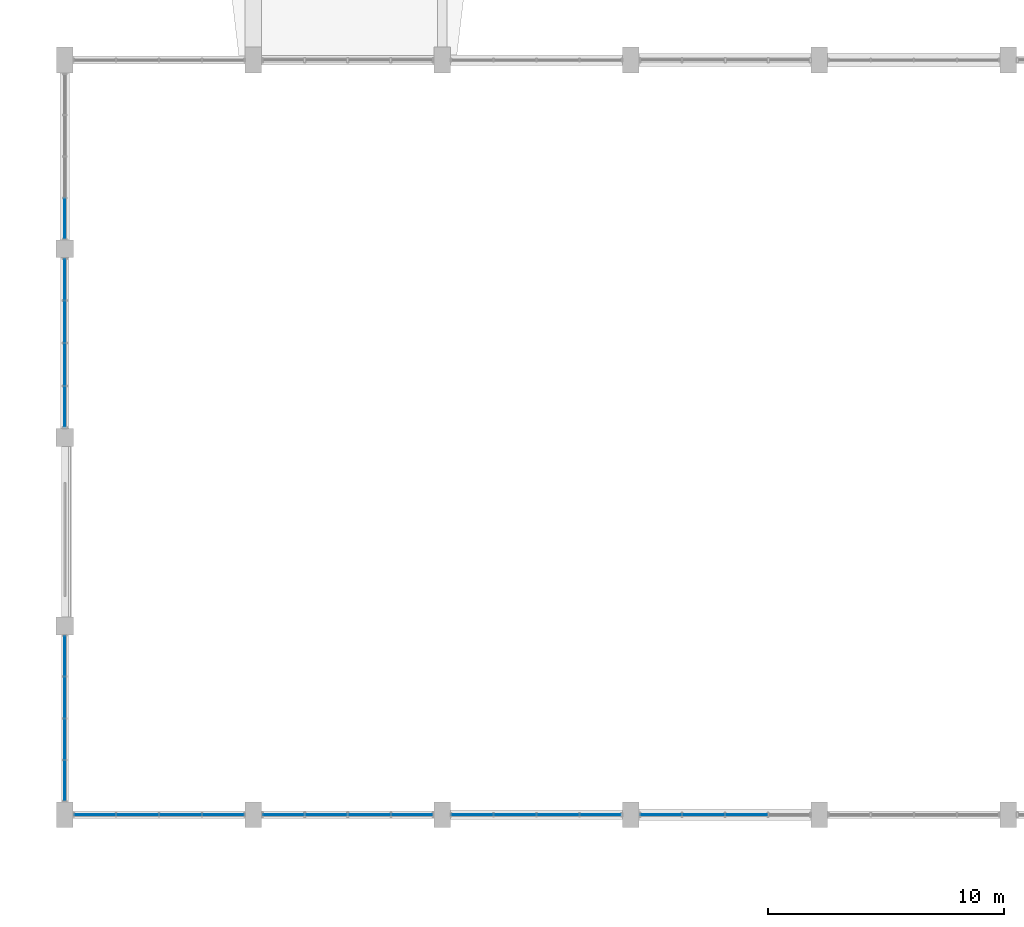
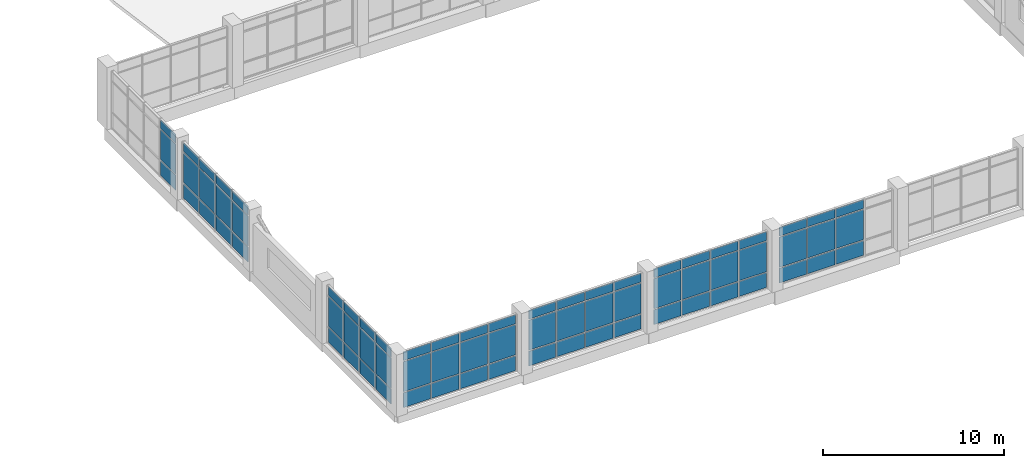
# One storey, part 47 of 72: 72 plates, 7 elements without a shape of their own.
"""IFC4 building model written with IfcOpenShell, lengths in metres."""

import ifcopenshell
import ifcopenshell.guid

model = None  # the IFC model being written
_history = None  # IfcOwnerHistory: only IFC2X3 demands one
_inside = {}  # id of a spatial element -> (the spatial element, [elements in it])
_under = {}  # id of a project, library or spatial element -> (it, [spatial elements below it])
_declared = {}  # id of a project -> (the project, [libraries it declares])
_typed = {}  # id of a type object -> (the type object, [elements of that type])
_made_of = {}  # id of a material, layer set ... -> (it, [elements and type objects made of it])


def new_model(schema):
    """Start an empty IFC model of exactly this schema.

    Asked for "IFC4X3", IfcOpenShell would pick the latest addendum, in which some entities
    have other attributes; the version numbers below select the first issue.
    IFC2X3 requires an IfcOwnerHistory on every rooted entity: one is made here for all.
    """
    global model, _history
    if schema == "IFC4X3":
        model = ifcopenshell.file(schema_version=(4, 3, 0, 0))
    else:
        model = ifcopenshell.file(schema=schema)
    _inside.clear()
    _under.clear()
    _declared.clear()
    _typed.clear()
    _made_of.clear()
    _history = None
    if model.schema == "IFC2X3":
        org = make("IfcOrganization", Name="unknown")
        user = make(
            "IfcPersonAndOrganization",
            ThePerson=make("IfcPerson", FamilyName="unknown"),
            TheOrganization=org,
        )
        app = make(
            "IfcApplication",
            ApplicationDeveloper=org,
            Version="unknown",
            ApplicationFullName="unknown",
            ApplicationIdentifier="unknown",
        )
        _history = make(
            "IfcOwnerHistory",
            OwningUser=user,
            OwningApplication=app,
            ChangeAction="ADDED",
            CreationDate=0,
        )
    return model


def make(cls, **values):
    """One entity of the class cls with the attributes given. An attribute that is None is left unset."""
    return model.create_entity(
        cls, **{name: value for name, value in values.items() if value is not None}
    )


def rooted(cls, **values):
    """An entity with a GlobalId (a new one), such as an element, a storey or a relation."""
    return make(cls, GlobalId=ifcopenshell.guid.new(), OwnerHistory=_history, **values)


def si_unit(unit_type, name, prefix=None):
    """IfcSIUnit, for example si_unit("LENGTHUNIT", "METRE", prefix="MILLI")."""
    return make("IfcSIUnit", UnitType=unit_type, Prefix=prefix, Name=name)


def assignment(units):
    """IfcUnitAssignment: the units of a project."""
    return None if units is None else make("IfcUnitAssignment", Units=units)


def point(xyz):
    """IfcCartesianPoint."""
    return None if xyz is None else make("IfcCartesianPoint", Coordinates=xyz)


def direction(xyz):
    """IfcDirection."""
    return None if xyz is None else make("IfcDirection", DirectionRatios=xyz)


def frame(location, z_axis=None, x_axis=None):
    """IfcAxis2Placement3D, a coordinate frame: its origin and axes. An axis left out is left unset."""
    return make(
        "IfcAxis2Placement3D",
        Location=point(location),
        Axis=direction(z_axis),
        RefDirection=direction(x_axis),
    )


def frame_2d(location, x_axis=None):
    """IfcAxis2Placement2D, a coordinate frame in the plane: its origin and x axis."""
    return make(
        "IfcAxis2Placement2D", Location=point(location), RefDirection=direction(x_axis)
    )


def origin():
    """The frame at (0, 0, 0) with its axes left unset."""
    return frame((0.0, 0.0, 0.0))


def origin_2d():
    """The frame at (0, 0) in the plane with its x axis left unset."""
    return frame_2d((0.0, 0.0))


def place(relative_to, where):
    """IfcLocalPlacement: puts the frame where relative to a parent placement (None: the world)."""
    return make(
        "IfcLocalPlacement", PlacementRelTo=relative_to, RelativePlacement=where
    )


def context(
    kind, dimensions, precision=None, world=None, true_north=None, identifier=None
):
    """IfcGeometricRepresentationContext, for example the 3D "Model" context."""
    return make(
        "IfcGeometricRepresentationContext",
        ContextIdentifier=identifier,
        ContextType=kind,
        CoordinateSpaceDimension=dimensions,
        Precision=precision,
        WorldCoordinateSystem=world,
        TrueNorth=true_north,
    )


def subcontext(parent, identifier, kind, view, scale=None):
    """IfcGeometricRepresentationSubContext, for example "Body" below "Model"."""
    return make(
        "IfcGeometricRepresentationSubContext",
        ContextIdentifier=identifier,
        ContextType=kind,
        ParentContext=parent,
        TargetScale=scale,
        TargetView=view,
    )


def project(units=None, contexts=None):
    """IfcProject with its units and contexts."""
    return rooted(
        "IfcProject",
        Name="project",
        RepresentationContexts=contexts,
        UnitsInContext=assignment(units),
    )


def spatial(cls, under=None, at=None, **own):
    """A site, building, storey or space (cls), placed at a placement, below another one or the project."""
    s = rooted(cls, ObjectPlacement=at, **own)
    if under is not None:
        _under.setdefault(under.id(), (under, []))[1].append(s)
    return s


def profile(cls, at=None, kind="AREA", **sizes):
    """A parametric profile (cls). Its sizes go by their IFC names, for example OverallWidth=200.0."""
    return make(cls, ProfileType=kind, Position=at, **sizes)


def rectangle(**sizes):
    """IfcRectangleProfileDef."""
    return profile("IfcRectangleProfileDef", **sizes)


def extrude(swept, where, along, depth):
    """IfcExtrudedAreaSolid: the profile swept, set in the frame where, extruded along a direction by depth."""
    return make(
        "IfcExtrudedAreaSolid",
        SweptArea=swept,
        Position=where,
        ExtrudedDirection=direction(along),
        Depth=depth,
    )


def shape(context_of_items, identifier, shape_type, items):
    """IfcShapeRepresentation: the items that make up one representation, for example the "Body"."""
    return make(
        "IfcShapeRepresentation",
        ContextOfItems=context_of_items,
        RepresentationIdentifier=identifier,
        RepresentationType=shape_type,
        Items=items,
    )


def material(Name=None, Category=None):
    """IfcMaterial."""
    return make("IfcMaterial", Name=Name, Category=Category)


def layer(
    of_material, thickness, ventilated=None, Name=None, Category=None, Priority=None
):
    """IfcMaterialLayer: one layer of a wall or slab, of a material (None: an air gap)."""
    return make(
        "IfcMaterialLayer",
        Material=of_material,
        LayerThickness=thickness,
        IsVentilated=ventilated,
        Name=Name,
        Category=Category,
        Priority=Priority,
    )


def layer_set(layers, Name=None):
    """IfcMaterialLayerSet."""
    return make("IfcMaterialLayerSet", MaterialLayers=layers, LayerSetName=Name)


def made_of(thing, what):
    """Note that an element or type object is made of a material, layer set ...; save() writes the relation."""
    if what is not None:
        _made_of.setdefault(what.id(), (what, []))[1].append(thing)
    return thing


def type_object(cls, material=None, **own):
    """A type object (cls), such as IfcWallType, which elements share."""
    return made_of(rooted(cls, **own), material)


def element(
    cls,
    number,
    at=None,
    inside=None,
    cuts=None,
    type_object=None,
    material=None,
    context=None,
    identifier="Body",
    shape_type=None,
    held_by="IfcProductDefinitionShape",
    body=None,
    shapes=None,
    **own,
):
    """One element of the class cls, such as IfcWall. Its Tag is "e" and its number.

    at: its placement. inside: the storey or other place that contains it. cuts: it is an
    opening in that element (IfcRelVoidsElement). A single representation is given by context,
    identifier, shape_type and body (its items); several are given by shapes. held_by: the class
    of the entity that holds the representations. save() writes the other relations.
    """
    e = rooted(cls, Tag="e%d" % number, ObjectPlacement=at, **own)
    if body is not None:
        shapes = [shape(context, identifier, shape_type, body)]
    if shapes is not None:
        e.Representation = make(held_by, Representations=shapes)
    if inside is not None:
        _inside.setdefault(inside.id(), (inside, []))[1].append(e)
    if cuts is not None:
        rooted(
            "IfcRelVoidsElement", RelatingBuildingElement=cuts, RelatedOpeningElement=e
        )
    if type_object is not None:
        _typed.setdefault(type_object.id(), (type_object, []))[1].append(e)
    return made_of(e, material)


def aggregate(whole, parts):
    """IfcRelAggregates: a whole, such as a stair, and the parts it consists of."""
    return rooted("IfcRelAggregates", RelatingObject=whole, RelatedObjects=parts)


def save(model, path):
    """Write the relations noted so far, then the file.

    IfcRelAggregates (storeys below a building ...), IfcRelContainedInSpatialStructure (elements
    in a storey), IfcRelDefinesByType, IfcRelAssociatesMaterial and IfcRelDeclares: one each for
    every whole, place, type object, material and project.
    """
    for whole, parts in _under.values():
        aggregate(whole, parts)
    for where, things in _inside.values():
        rooted(
            "IfcRelContainedInSpatialStructure",
            RelatedElements=things,
            RelatingStructure=where,
        )
    for kind, things in _typed.values():
        rooted("IfcRelDefinesByType", RelatedObjects=things, RelatingType=kind)
    for what, things in _made_of.values():
        rooted("IfcRelAssociatesMaterial", RelatedObjects=things, RelatingMaterial=what)
    for by, libraries in _declared.values():
        rooted("IfcRelDeclares", RelatingContext=by, RelatedDefinitions=libraries)
    model.write(path)


model = new_model("IFC4")

# Units and contexts
model_context = context("Model", 3, precision=1e-05, world=origin(), true_north=direction((0.0, 1.0)))
body_context = subcontext(model_context, "Body", "Model", "MODEL_VIEW")
ifc_project = project(units=[si_unit("LENGTHUNIT", "METRE"), si_unit("AREAUNIT", "SQUARE_METRE"), si_unit("VOLUMEUNIT", "CUBIC_METRE"), si_unit("PLANEANGLEUNIT", "RADIAN"), si_unit("MASSUNIT", "GRAM", prefix="KILO")], contexts=[model_context])

# Site, building, storey
site_placement = place(None, origin())
site = spatial("IfcSite", under=ifc_project, at=site_placement, CompositionType="ELEMENT")
building_placement = place(site_placement, origin())
building = spatial("IfcBuilding", under=site, at=building_placement, Name="Tenunan Teduh Sports Hall", CompositionType="ELEMENT")
storey_placement = place(building_placement, frame((0.0, 0.0, 15.0)))
storey = spatial("IfcBuildingStorey", under=building, at=storey_placement, Name="L03", CompositionType="ELEMENT", Elevation=15.0)

# Curtain wall, plates
ifc_material_1 = material(Name="Anodised aluminium", Category="aluminium")
curtain_wall_type = type_object("IfcCurtainWallType", Name="CW-UNIT-2", PredefinedType="NOTDEFINED", material=ifc_material_1)
curtain_wall_1_placement = place(storey_placement, origin())
curtain_wall_1 = element("IfcCurtainWall", 1, at=curtain_wall_1_placement, inside=storey, type_object=curtain_wall_type, Name="CW-CWM-175-L03-074", PredefinedType="NOTDEFINED")
ifc_material_2 = material(Name="Low-E laminated double glazing", Category="glass")
ifc_layer_1 = layer(ifc_material_2, 0.028076171875)
ifc_layer_set_1 = layer_set([ifc_layer_1], Name="Low-E laminated double glazing")
plate_type_1 = type_object("IfcPlateType", Name="CWP-GLZ-28", PredefinedType="CURTAIN_PANEL", material=ifc_layer_set_1)
plate_1_placement = place(storey_placement, frame((7.27880859375, 14.0, 1.13232421875), z_axis=(0.0, 0.0, 1.0), x_axis=(1.0, 0.0, 0.0)))
plate_1 = element("IfcPlate", 2, at=plate_1_placement, type_object=plate_type_1, Name="CW-02 panel 1.2", PredefinedType="CURTAIN_PANEL", context=body_context, shape_type="SweptSolid", body=[
    extrude(rectangle(XDim=1.7275390625, YDim=0.028076171875, at=origin_2d()), origin(), (0.0, 0.0, 1.0), 2.034912109375),
])
plate_2_placement = place(storey_placement, frame((7.27880859375, 14.0, 3.232421875), z_axis=(0.0, 0.0, 1.0), x_axis=(1.0, 0.0, 0.0)))
plate_2 = element("IfcPlate", 3, at=plate_2_placement, type_object=plate_type_1, Name="CW-02 panel 1.3", PredefinedType="CURTAIN_PANEL", context=body_context, shape_type="SweptSolid", body=[
    extrude(rectangle(XDim=1.7275390625, YDim=0.028076171875, at=origin_2d()), origin(), (0.0, 0.0, 1.0), 0.6025390625),
])
plate_3_placement = place(storey_placement, frame((9.08740234375, 14.0, 1.13232421875), z_axis=(0.0, 0.0, 1.0), x_axis=(1.0, 0.0, 0.0)))
plate_3 = element("IfcPlate", 4, at=plate_3_placement, type_object=plate_type_1, Name="CW-02 panel 2.2", PredefinedType="CURTAIN_PANEL", context=body_context, shape_type="SweptSolid", body=[
    extrude(rectangle(XDim=1.760009765625, YDim=0.028076171875, at=origin_2d()), origin(), (0.0, 0.0, 1.0), 2.034912109375),
])
plate_4_placement = place(storey_placement, frame((9.08740234375, 14.0, 3.232421875), z_axis=(0.0, 0.0, 1.0), x_axis=(1.0, 0.0, 0.0)))
plate_4 = element("IfcPlate", 5, at=plate_4_placement, type_object=plate_type_1, Name="CW-02 panel 2.3", PredefinedType="CURTAIN_PANEL", context=body_context, shape_type="SweptSolid", body=[
    extrude(rectangle(XDim=1.760009765625, YDim=0.028076171875, at=origin_2d()), origin(), (0.0, 0.0, 1.0), 0.6025390625),
])
plate_5_placement = place(storey_placement, frame((10.91259765625, 14.0, 1.13232421875), z_axis=(0.0, 0.0, 1.0), x_axis=(1.0, 0.0, 0.0)))
plate_5 = element("IfcPlate", 6, at=plate_5_placement, type_object=plate_type_1, Name="CW-02 panel 3.2", PredefinedType="CURTAIN_PANEL", context=body_context, shape_type="SweptSolid", body=[
    extrude(rectangle(XDim=1.760009765625, YDim=0.028076171875, at=origin_2d()), origin(), (0.0, 0.0, 1.0), 2.034912109375),
])
plate_6_placement = place(storey_placement, frame((10.91259765625, 14.0, 3.232421875), z_axis=(0.0, 0.0, 1.0), x_axis=(1.0, 0.0, 0.0)))
plate_6 = element("IfcPlate", 7, at=plate_6_placement, type_object=plate_type_1, Name="CW-02 panel 3.3", PredefinedType="CURTAIN_PANEL", context=body_context, shape_type="SweptSolid", body=[
    extrude(rectangle(XDim=1.760009765625, YDim=0.028076171875, at=origin_2d()), origin(), (0.0, 0.0, 1.0), 0.6025390625),
])
plate_7_placement = place(storey_placement, frame((12.72119140625, 14.0, 1.13232421875), z_axis=(0.0, 0.0, 1.0), x_axis=(1.0, 0.0, 0.0)))
plate_7 = element("IfcPlate", 8, at=plate_7_placement, type_object=plate_type_1, Name="CW-02 panel 4.2", PredefinedType="CURTAIN_PANEL", context=body_context, shape_type="SweptSolid", body=[
    extrude(rectangle(XDim=1.7275390625, YDim=0.028076171875, at=origin_2d()), origin(), (0.0, 0.0, 1.0), 2.034912109375),
])
plate_8_placement = place(storey_placement, frame((12.72119140625, 14.0, 3.232421875), z_axis=(0.0, 0.0, 1.0), x_axis=(1.0, 0.0, 0.0)))
plate_8 = element("IfcPlate", 9, at=plate_8_placement, type_object=plate_type_1, Name="CW-02 panel 4.3", PredefinedType="CURTAIN_PANEL", context=body_context, shape_type="SweptSolid", body=[
    extrude(rectangle(XDim=1.7275390625, YDim=0.028076171875, at=origin_2d()), origin(), (0.0, 0.0, 1.0), 0.6025390625),
])

curtain_wall_2_placement = place(storey_placement, origin())
curtain_wall_2 = element("IfcCurtainWall", 10, at=curtain_wall_2_placement, inside=storey, type_object=curtain_wall_type, Name="CW-CWM-200-L03-076", PredefinedType="NOTDEFINED")
plate_9_placement = place(storey_placement, frame((15.280029296875, 14.0, 1.134765625), z_axis=(0.0, 0.0, 1.0), x_axis=(1.0, 0.0, 0.0)))
plate_9 = element("IfcPlate", 11, at=plate_9_placement, type_object=plate_type_1, Name="CW-02 panel 1.2", PredefinedType="CURTAIN_PANEL", context=body_context, shape_type="SweptSolid", body=[
    extrude(rectangle(XDim=1.719970703125, YDim=0.028076171875, at=origin_2d()), origin(), (0.0, 0.0, 1.0), 2.030029296875),
])
plate_10_placement = place(storey_placement, frame((15.280029296875, 14.0, 3.23486328125), z_axis=(0.0, 0.0, 1.0), x_axis=(1.0, 0.0, 0.0)))
plate_10 = element("IfcPlate", 12, at=plate_10_placement, type_object=plate_type_1, Name="CW-02 panel 1.3", PredefinedType="CURTAIN_PANEL", context=body_context, shape_type="SweptSolid", body=[
    extrude(rectangle(XDim=1.719970703125, YDim=0.028076171875, at=origin_2d()), origin(), (0.0, 0.0, 1.0), 0.594970703125),
])
plate_11_placement = place(storey_placement, frame((17.08740234375, 14.0, 1.134765625), z_axis=(0.0, 0.0, 1.0), x_axis=(1.0, 0.0, 0.0)))
plate_11 = element("IfcPlate", 13, at=plate_11_placement, type_object=plate_type_1, Name="CW-02 panel 2.2", PredefinedType="CURTAIN_PANEL", context=body_context, shape_type="SweptSolid", body=[
    extrude(rectangle(XDim=1.7548828125, YDim=0.028076171875, at=origin_2d()), origin(), (0.0, 0.0, 1.0), 2.030029296875),
])
plate_12_placement = place(storey_placement, frame((17.08740234375, 14.0, 3.23486328125), z_axis=(0.0, 0.0, 1.0), x_axis=(1.0, 0.0, 0.0)))
plate_12 = element("IfcPlate", 14, at=plate_12_placement, type_object=plate_type_1, Name="CW-02 panel 2.3", PredefinedType="CURTAIN_PANEL", context=body_context, shape_type="SweptSolid", body=[
    extrude(rectangle(XDim=1.7548828125, YDim=0.028076171875, at=origin_2d()), origin(), (0.0, 0.0, 1.0), 0.594970703125),
])
plate_13_placement = place(storey_placement, frame((18.91259765625, 14.0, 1.134765625), z_axis=(0.0, 0.0, 1.0), x_axis=(1.0, 0.0, 0.0)))
plate_13 = element("IfcPlate", 15, at=plate_13_placement, type_object=plate_type_1, Name="CW-02 panel 3.2", PredefinedType="CURTAIN_PANEL", context=body_context, shape_type="SweptSolid", body=[
    extrude(rectangle(XDim=1.7548828125, YDim=0.028076171875, at=origin_2d()), origin(), (0.0, 0.0, 1.0), 2.030029296875),
])
plate_14_placement = place(storey_placement, frame((18.91259765625, 14.0, 3.23486328125), z_axis=(0.0, 0.0, 1.0), x_axis=(1.0, 0.0, 0.0)))
plate_14 = element("IfcPlate", 16, at=plate_14_placement, type_object=plate_type_1, Name="CW-02 panel 3.3", PredefinedType="CURTAIN_PANEL", context=body_context, shape_type="SweptSolid", body=[
    extrude(rectangle(XDim=1.7548828125, YDim=0.028076171875, at=origin_2d()), origin(), (0.0, 0.0, 1.0), 0.594970703125),
])
plate_15_placement = place(storey_placement, frame((20.719970703125, 14.0, 1.134765625), z_axis=(0.0, 0.0, 1.0), x_axis=(1.0, 0.0, 0.0)))
plate_15 = element("IfcPlate", 17, at=plate_15_placement, type_object=plate_type_1, Name="CW-02 panel 4.2", PredefinedType="CURTAIN_PANEL", context=body_context, shape_type="SweptSolid", body=[
    extrude(rectangle(XDim=1.719970703125, YDim=0.028076171875, at=origin_2d()), origin(), (0.0, 0.0, 1.0), 2.030029296875),
])
plate_16_placement = place(storey_placement, frame((20.719970703125, 14.0, 3.23486328125), z_axis=(0.0, 0.0, 1.0), x_axis=(1.0, 0.0, 0.0)))
plate_16 = element("IfcPlate", 18, at=plate_16_placement, type_object=plate_type_1, Name="CW-02 panel 4.3", PredefinedType="CURTAIN_PANEL", context=body_context, shape_type="SweptSolid", body=[
    extrude(rectangle(XDim=1.719970703125, YDim=0.028076171875, at=origin_2d()), origin(), (0.0, 0.0, 1.0), 0.594970703125),
])

curtain_wall_3_placement = place(storey_placement, origin())
curtain_wall_3 = element("IfcCurtainWall", 19, at=curtain_wall_3_placement, inside=storey, type_object=curtain_wall_type, Name="CW-CWM-175-L03-078", PredefinedType="NOTDEFINED")
plate_17_placement = place(storey_placement, frame((23.27880859375, 14.0, 1.13232421875), z_axis=(0.0, 0.0, 1.0), x_axis=(1.0, 0.0, 0.0)))
plate_17 = element("IfcPlate", 20, at=plate_17_placement, type_object=plate_type_1, Name="CW-02 panel 1.2", PredefinedType="CURTAIN_PANEL", context=body_context, shape_type="SweptSolid", body=[
    extrude(rectangle(XDim=1.7275390625, YDim=0.028076171875, at=origin_2d()), origin(), (0.0, 0.0, 1.0), 2.034912109375),
])
plate_18_placement = place(storey_placement, frame((23.27880859375, 14.0, 3.232421875), z_axis=(0.0, 0.0, 1.0), x_axis=(1.0, 0.0, 0.0)))
plate_18 = element("IfcPlate", 21, at=plate_18_placement, type_object=plate_type_1, Name="CW-02 panel 1.3", PredefinedType="CURTAIN_PANEL", context=body_context, shape_type="SweptSolid", body=[
    extrude(rectangle(XDim=1.7275390625, YDim=0.028076171875, at=origin_2d()), origin(), (0.0, 0.0, 1.0), 0.6025390625),
])
plate_19_placement = place(storey_placement, frame((25.08740234375, 14.0, 1.13232421875), z_axis=(0.0, 0.0, 1.0), x_axis=(1.0, 0.0, 0.0)))
plate_19 = element("IfcPlate", 22, at=plate_19_placement, type_object=plate_type_1, Name="CW-02 panel 2.2", PredefinedType="CURTAIN_PANEL", context=body_context, shape_type="SweptSolid", body=[
    extrude(rectangle(XDim=1.760009765625, YDim=0.028076171875, at=origin_2d()), origin(), (0.0, 0.0, 1.0), 2.034912109375),
])
plate_20_placement = place(storey_placement, frame((25.08740234375, 14.0, 3.232421875), z_axis=(0.0, 0.0, 1.0), x_axis=(1.0, 0.0, 0.0)))
plate_20 = element("IfcPlate", 23, at=plate_20_placement, type_object=plate_type_1, Name="CW-02 panel 2.3", PredefinedType="CURTAIN_PANEL", context=body_context, shape_type="SweptSolid", body=[
    extrude(rectangle(XDim=1.760009765625, YDim=0.028076171875, at=origin_2d()), origin(), (0.0, 0.0, 1.0), 0.6025390625),
])
plate_21_placement = place(storey_placement, frame((26.91259765625, 14.0, 1.13232421875), z_axis=(0.0, 0.0, 1.0), x_axis=(1.0, 0.0, 0.0)))
plate_21 = element("IfcPlate", 24, at=plate_21_placement, type_object=plate_type_1, Name="CW-02 panel 3.2", PredefinedType="CURTAIN_PANEL", context=body_context, shape_type="SweptSolid", body=[
    extrude(rectangle(XDim=1.760009765625, YDim=0.028076171875, at=origin_2d()), origin(), (0.0, 0.0, 1.0), 2.034912109375),
])
plate_22_placement = place(storey_placement, frame((26.91259765625, 14.0, 3.232421875), z_axis=(0.0, 0.0, 1.0), x_axis=(1.0, 0.0, 0.0)))
plate_22 = element("IfcPlate", 25, at=plate_22_placement, type_object=plate_type_1, Name="CW-02 panel 3.3", PredefinedType="CURTAIN_PANEL", context=body_context, shape_type="SweptSolid", body=[
    extrude(rectangle(XDim=1.760009765625, YDim=0.028076171875, at=origin_2d()), origin(), (0.0, 0.0, 1.0), 0.6025390625),
])
plate_23_placement = place(storey_placement, frame((28.72119140625, 14.0, 1.13232421875), z_axis=(0.0, 0.0, 1.0), x_axis=(1.0, 0.0, 0.0)))
plate_23 = element("IfcPlate", 26, at=plate_23_placement, type_object=plate_type_1, Name="CW-02 panel 4.2", PredefinedType="CURTAIN_PANEL", context=body_context, shape_type="SweptSolid", body=[
    extrude(rectangle(XDim=1.7275390625, YDim=0.028076171875, at=origin_2d()), origin(), (0.0, 0.0, 1.0), 2.034912109375),
])
plate_24_placement = place(storey_placement, frame((28.72119140625, 14.0, 3.232421875), z_axis=(0.0, 0.0, 1.0), x_axis=(1.0, 0.0, 0.0)))
plate_24 = element("IfcPlate", 27, at=plate_24_placement, type_object=plate_type_1, Name="CW-02 panel 4.3", PredefinedType="CURTAIN_PANEL", context=body_context, shape_type="SweptSolid", body=[
    extrude(rectangle(XDim=1.7275390625, YDim=0.028076171875, at=origin_2d()), origin(), (0.0, 0.0, 1.0), 0.6025390625),
])

curtain_wall_4_placement = place(storey_placement, origin())
curtain_wall_4 = element("IfcCurtainWall", 28, at=curtain_wall_4_placement, inside=storey, type_object=curtain_wall_type, Name="CW-CWM-200-L03-080", PredefinedType="NOTDEFINED")
plate_25_placement = place(storey_placement, frame((31.280029296875, 14.0, 1.134765625), z_axis=(0.0, 0.0, 1.0), x_axis=(1.0, 0.0, 0.0)))
plate_25 = element("IfcPlate", 29, at=plate_25_placement, type_object=plate_type_1, Name="CW-02 panel 1.2", PredefinedType="CURTAIN_PANEL", context=body_context, shape_type="SweptSolid", body=[
    extrude(rectangle(XDim=1.719970703125, YDim=0.028076171875, at=origin_2d()), origin(), (0.0, 0.0, 1.0), 2.030029296875),
])
plate_26_placement = place(storey_placement, frame((31.280029296875, 14.0, 3.23486328125), z_axis=(0.0, 0.0, 1.0), x_axis=(1.0, 0.0, 0.0)))
plate_26 = element("IfcPlate", 30, at=plate_26_placement, type_object=plate_type_1, Name="CW-02 panel 1.3", PredefinedType="CURTAIN_PANEL", context=body_context, shape_type="SweptSolid", body=[
    extrude(rectangle(XDim=1.719970703125, YDim=0.028076171875, at=origin_2d()), origin(), (0.0, 0.0, 1.0), 0.594970703125),
])
plate_27_placement = place(storey_placement, frame((33.08740234375, 14.0, 1.134765625), z_axis=(0.0, 0.0, 1.0), x_axis=(1.0, 0.0, 0.0)))
plate_27 = element("IfcPlate", 31, at=plate_27_placement, type_object=plate_type_1, Name="CW-02 panel 2.2", PredefinedType="CURTAIN_PANEL", context=body_context, shape_type="SweptSolid", body=[
    extrude(rectangle(XDim=1.7548828125, YDim=0.028076171875, at=origin_2d()), origin(), (0.0, 0.0, 1.0), 2.030029296875),
])
plate_28_placement = place(storey_placement, frame((33.08740234375, 14.0, 3.23486328125), z_axis=(0.0, 0.0, 1.0), x_axis=(1.0, 0.0, 0.0)))
plate_28 = element("IfcPlate", 32, at=plate_28_placement, type_object=plate_type_1, Name="CW-02 panel 2.3", PredefinedType="CURTAIN_PANEL", context=body_context, shape_type="SweptSolid", body=[
    extrude(rectangle(XDim=1.7548828125, YDim=0.028076171875, at=origin_2d()), origin(), (0.0, 0.0, 1.0), 0.594970703125),
])
plate_29_placement = place(storey_placement, frame((34.91259765625, 14.0, 1.134765625), z_axis=(0.0, 0.0, 1.0), x_axis=(1.0, 0.0, 0.0)))
plate_29 = element("IfcPlate", 33, at=plate_29_placement, type_object=plate_type_1, Name="CW-02 panel 3.2", PredefinedType="CURTAIN_PANEL", context=body_context, shape_type="SweptSolid", body=[
    extrude(rectangle(XDim=1.7548828125, YDim=0.028076171875, at=origin_2d()), origin(), (0.0, 0.0, 1.0), 2.030029296875),
])
plate_30_placement = place(storey_placement, frame((34.91259765625, 14.0, 3.23486328125), z_axis=(0.0, 0.0, 1.0), x_axis=(1.0, 0.0, 0.0)))
plate_30 = element("IfcPlate", 34, at=plate_30_placement, type_object=plate_type_1, Name="CW-02 panel 3.3", PredefinedType="CURTAIN_PANEL", context=body_context, shape_type="SweptSolid", body=[
    extrude(rectangle(XDim=1.7548828125, YDim=0.028076171875, at=origin_2d()), origin(), (0.0, 0.0, 1.0), 0.594970703125),
])

curtain_wall_5_placement = place(storey_placement, origin())
curtain_wall_5 = element("IfcCurtainWall", 35, at=curtain_wall_5_placement, inside=storey, type_object=curtain_wall_type, Name="CW-CWM-175-L03-086", PredefinedType="NOTDEFINED")
plate_31_placement = place(storey_placement, frame((6.0, 15.45068359375, 1.13232421875), z_axis=(0.0, 0.0, 1.0), x_axis=(0.0, 1.0, 0.0)))
plate_31 = element("IfcPlate", 36, at=plate_31_placement, type_object=plate_type_1, Name="CW-02 panel 1.2", PredefinedType="CURTAIN_PANEL", context=body_context, shape_type="SweptSolid", body=[
    extrude(rectangle(XDim=1.671142578125, YDim=0.028076171875, at=origin_2d()), origin(), (0.0, 0.0, 1.0), 2.034912109375),
])
plate_32_placement = place(storey_placement, frame((6.0, 15.45068359375, 3.232421875), z_axis=(0.0, 0.0, 1.0), x_axis=(0.0, 1.0, 0.0)))
plate_32 = element("IfcPlate", 37, at=plate_32_placement, type_object=plate_type_1, Name="CW-02 panel 1.3", PredefinedType="CURTAIN_PANEL", context=body_context, shape_type="SweptSolid", body=[
    extrude(rectangle(XDim=1.671142578125, YDim=0.028076171875, at=origin_2d()), origin(), (0.0, 0.0, 1.0), 0.6025390625),
])
plate_33_placement = place(storey_placement, frame((6.0, 17.203125, 1.13232421875), z_axis=(0.0, 0.0, 1.0), x_axis=(0.0, 1.0, 0.0)))
plate_33 = element("IfcPlate", 38, at=plate_33_placement, type_object=plate_type_1, Name="CW-02 panel 2.2", PredefinedType="CURTAIN_PANEL", context=body_context, shape_type="SweptSolid", body=[
    extrude(rectangle(XDim=1.703857421875, YDim=0.028076171875, at=origin_2d()), origin(), (0.0, 0.0, 1.0), 2.034912109375),
])
plate_34_placement = place(storey_placement, frame((6.0, 17.203125, 3.232421875), z_axis=(0.0, 0.0, 1.0), x_axis=(0.0, 1.0, 0.0)))
plate_34 = element("IfcPlate", 39, at=plate_34_placement, type_object=plate_type_1, Name="CW-02 panel 2.3", PredefinedType="CURTAIN_PANEL", context=body_context, shape_type="SweptSolid", body=[
    extrude(rectangle(XDim=1.703857421875, YDim=0.028076171875, at=origin_2d()), origin(), (0.0, 0.0, 1.0), 0.6025390625),
])
plate_35_placement = place(storey_placement, frame((6.0, 18.971923828125, 1.13232421875), z_axis=(0.0, 0.0, 1.0), x_axis=(0.0, 1.0, 0.0)))
plate_35 = element("IfcPlate", 40, at=plate_35_placement, type_object=plate_type_1, Name="CW-02 panel 3.2", PredefinedType="CURTAIN_PANEL", context=body_context, shape_type="SweptSolid", body=[
    extrude(rectangle(XDim=1.703857421875, YDim=0.028076171875, at=origin_2d()), origin(), (0.0, 0.0, 1.0), 2.034912109375),
])
plate_36_placement = place(storey_placement, frame((6.0, 18.971923828125, 3.232421875), z_axis=(0.0, 0.0, 1.0), x_axis=(0.0, 1.0, 0.0)))
plate_36 = element("IfcPlate", 41, at=plate_36_placement, type_object=plate_type_1, Name="CW-02 panel 3.3", PredefinedType="CURTAIN_PANEL", context=body_context, shape_type="SweptSolid", body=[
    extrude(rectangle(XDim=1.703857421875, YDim=0.028076171875, at=origin_2d()), origin(), (0.0, 0.0, 1.0), 0.6025390625),
])
plate_37_placement = place(storey_placement, frame((6.0, 20.724365234375, 1.13232421875), z_axis=(0.0, 0.0, 1.0), x_axis=(0.0, 1.0, 0.0)))
plate_37 = element("IfcPlate", 42, at=plate_37_placement, type_object=plate_type_1, Name="CW-02 panel 4.2", PredefinedType="CURTAIN_PANEL", context=body_context, shape_type="SweptSolid", body=[
    extrude(rectangle(XDim=1.671142578125, YDim=0.028076171875, at=origin_2d()), origin(), (0.0, 0.0, 1.0), 2.034912109375),
])
plate_38_placement = place(storey_placement, frame((6.0, 20.724365234375, 3.232421875), z_axis=(0.0, 0.0, 1.0), x_axis=(0.0, 1.0, 0.0)))
plate_38 = element("IfcPlate", 43, at=plate_38_placement, type_object=plate_type_1, Name="CW-02 panel 4.3", PredefinedType="CURTAIN_PANEL", context=body_context, shape_type="SweptSolid", body=[
    extrude(rectangle(XDim=1.671142578125, YDim=0.028076171875, at=origin_2d()), origin(), (0.0, 0.0, 1.0), 0.6025390625),
])

curtain_wall_6_placement = place(storey_placement, origin())
curtain_wall_6 = element("IfcCurtainWall", 44, at=curtain_wall_6_placement, inside=storey, type_object=curtain_wall_type, Name="CW-CWM-200-L03-088", PredefinedType="NOTDEFINED")
plate_39_placement = place(storey_placement, frame((6.0, 31.298828125, 1.134765625), z_axis=(0.0, 0.0, 1.0), x_axis=(0.0, 1.0, 0.0)))
plate_39 = element("IfcPlate", 45, at=plate_39_placement, type_object=plate_type_1, Name="CW-02 panel 1.2", PredefinedType="CURTAIN_PANEL", context=body_context, shape_type="SweptSolid", body=[
    extrude(rectangle(XDim=1.70751953125, YDim=0.028076171875, at=origin_2d()), origin(), (0.0, 0.0, 1.0), 2.030029296875),
])
plate_40_placement = place(storey_placement, frame((6.0, 31.298828125, 3.23486328125), z_axis=(0.0, 0.0, 1.0), x_axis=(0.0, 1.0, 0.0)))
plate_40 = element("IfcPlate", 46, at=plate_40_placement, type_object=plate_type_1, Name="CW-02 panel 1.3", PredefinedType="CURTAIN_PANEL", context=body_context, shape_type="SweptSolid", body=[
    extrude(rectangle(XDim=1.70751953125, YDim=0.028076171875, at=origin_2d()), origin(), (0.0, 0.0, 1.0), 0.594970703125),
])
plate_41_placement = place(storey_placement, frame((6.0, 33.09375, 1.134765625), z_axis=(0.0, 0.0, 1.0), x_axis=(0.0, 1.0, 0.0)))
plate_41 = element("IfcPlate", 47, at=plate_41_placement, type_object=plate_type_1, Name="CW-02 panel 2.2", PredefinedType="CURTAIN_PANEL", context=body_context, shape_type="SweptSolid", body=[
    extrude(rectangle(XDim=1.742431640625, YDim=0.028076171875, at=origin_2d()), origin(), (0.0, 0.0, 1.0), 2.030029296875),
])
plate_42_placement = place(storey_placement, frame((6.0, 33.09375, 3.23486328125), z_axis=(0.0, 0.0, 1.0), x_axis=(0.0, 1.0, 0.0)))
plate_42 = element("IfcPlate", 48, at=plate_42_placement, type_object=plate_type_1, Name="CW-02 panel 2.3", PredefinedType="CURTAIN_PANEL", context=body_context, shape_type="SweptSolid", body=[
    extrude(rectangle(XDim=1.742431640625, YDim=0.028076171875, at=origin_2d()), origin(), (0.0, 0.0, 1.0), 0.594970703125),
])
plate_43_placement = place(storey_placement, frame((6.0, 34.90625, 1.134765625), z_axis=(0.0, 0.0, 1.0), x_axis=(0.0, 1.0, 0.0)))
plate_43 = element("IfcPlate", 49, at=plate_43_placement, type_object=plate_type_1, Name="CW-02 panel 3.2", PredefinedType="CURTAIN_PANEL", context=body_context, shape_type="SweptSolid", body=[
    extrude(rectangle(XDim=1.742431640625, YDim=0.028076171875, at=origin_2d()), origin(), (0.0, 0.0, 1.0), 2.030029296875),
])
plate_44_placement = place(storey_placement, frame((6.0, 34.90625, 3.23486328125), z_axis=(0.0, 0.0, 1.0), x_axis=(0.0, 1.0, 0.0)))
plate_44 = element("IfcPlate", 50, at=plate_44_placement, type_object=plate_type_1, Name="CW-02 panel 3.3", PredefinedType="CURTAIN_PANEL", context=body_context, shape_type="SweptSolid", body=[
    extrude(rectangle(XDim=1.742431640625, YDim=0.028076171875, at=origin_2d()), origin(), (0.0, 0.0, 1.0), 0.594970703125),
])
plate_45_placement = place(storey_placement, frame((6.0, 36.701171875, 1.134765625), z_axis=(0.0, 0.0, 1.0), x_axis=(0.0, 1.0, 0.0)))
plate_45 = element("IfcPlate", 51, at=plate_45_placement, type_object=plate_type_1, Name="CW-02 panel 4.2", PredefinedType="CURTAIN_PANEL", context=body_context, shape_type="SweptSolid", body=[
    extrude(rectangle(XDim=1.70751953125, YDim=0.028076171875, at=origin_2d()), origin(), (0.0, 0.0, 1.0), 2.030029296875),
])
plate_46_placement = place(storey_placement, frame((6.0, 36.701171875, 3.23486328125), z_axis=(0.0, 0.0, 1.0), x_axis=(0.0, 1.0, 0.0)))
plate_46 = element("IfcPlate", 52, at=plate_46_placement, type_object=plate_type_1, Name="CW-02 panel 4.3", PredefinedType="CURTAIN_PANEL", context=body_context, shape_type="SweptSolid", body=[
    extrude(rectangle(XDim=1.70751953125, YDim=0.028076171875, at=origin_2d()), origin(), (0.0, 0.0, 1.0), 0.594970703125),
])

curtain_wall_7_placement = place(storey_placement, origin())
curtain_wall_7 = element("IfcCurtainWall", 53, at=curtain_wall_7_placement, inside=storey, type_object=curtain_wall_type, Name="CW-CWM-175-L03-090", PredefinedType="NOTDEFINED")
plate_47_placement = place(storey_placement, frame((6.0, 39.275634765625, 1.13232421875), z_axis=(0.0, 0.0, 1.0), x_axis=(0.0, 1.0, 0.0)))
plate_47 = element("IfcPlate", 54, at=plate_47_placement, type_object=plate_type_1, Name="CW-02 panel 1.2", PredefinedType="CURTAIN_PANEL", context=body_context, shape_type="SweptSolid", body=[
    extrude(rectangle(XDim=1.671142578125, YDim=0.028076171875, at=origin_2d()), origin(), (0.0, 0.0, 1.0), 2.034912109375),
])
plate_48_placement = place(storey_placement, frame((6.0, 39.275634765625, 3.232421875), z_axis=(0.0, 0.0, 1.0), x_axis=(0.0, 1.0, 0.0)))
plate_48 = element("IfcPlate", 55, at=plate_48_placement, type_object=plate_type_1, Name="CW-02 panel 1.3", PredefinedType="CURTAIN_PANEL", context=body_context, shape_type="SweptSolid", body=[
    extrude(rectangle(XDim=1.671142578125, YDim=0.028076171875, at=origin_2d()), origin(), (0.0, 0.0, 1.0), 0.6025390625),
])

# Plate
ifc_material_3 = material(Name="Insulated aluminium spandrel panel", Category="aluminium")
ifc_layer_2 = layer(ifc_material_3, 0.044921875)
ifc_layer_set_2 = layer_set([ifc_layer_2], Name="Insulated aluminium spandrel panel")
plate_type_2 = type_object("IfcPlateType", Name="CWP-SPN-45", PredefinedType="CURTAIN_PANEL", material=ifc_layer_set_2)
plate_49_placement = place(storey_placement, frame((7.27880859375, 14.0, 0.06494140625), z_axis=(0.0, 0.0, 1.0), x_axis=(1.0, 0.0, 0.0)))
plate_49 = element("IfcPlate", 56, at=plate_49_placement, type_object=plate_type_2, Name="CW-02 panel 1.1", PredefinedType="CURTAIN_PANEL", context=body_context, shape_type="SweptSolid", body=[
    extrude(rectangle(XDim=1.7275390625, YDim=0.028076171875, at=origin_2d()), origin(), (0.0, 0.0, 1.0), 1.00244140625),
])

plate_50_placement = place(storey_placement, frame((9.08740234375, 14.0, 0.06494140625), z_axis=(0.0, 0.0, 1.0), x_axis=(1.0, 0.0, 0.0)))
plate_50 = element("IfcPlate", 57, at=plate_50_placement, type_object=plate_type_2, Name="CW-02 panel 2.1", PredefinedType="CURTAIN_PANEL", context=body_context, shape_type="SweptSolid", body=[
    extrude(rectangle(XDim=1.760009765625, YDim=0.028076171875, at=origin_2d()), origin(), (0.0, 0.0, 1.0), 1.00244140625),
])

plate_51_placement = place(storey_placement, frame((10.91259765625, 14.0, 0.06494140625), z_axis=(0.0, 0.0, 1.0), x_axis=(1.0, 0.0, 0.0)))
plate_51 = element("IfcPlate", 58, at=plate_51_placement, type_object=plate_type_2, Name="CW-02 panel 3.1", PredefinedType="CURTAIN_PANEL", context=body_context, shape_type="SweptSolid", body=[
    extrude(rectangle(XDim=1.760009765625, YDim=0.028076171875, at=origin_2d()), origin(), (0.0, 0.0, 1.0), 1.00244140625),
])

plate_52_placement = place(storey_placement, frame((12.72119140625, 14.0, 0.06494140625), z_axis=(0.0, 0.0, 1.0), x_axis=(1.0, 0.0, 0.0)))
plate_52 = element("IfcPlate", 59, at=plate_52_placement, type_object=plate_type_2, Name="CW-02 panel 4.1", PredefinedType="CURTAIN_PANEL", context=body_context, shape_type="SweptSolid", body=[
    extrude(rectangle(XDim=1.7275390625, YDim=0.028076171875, at=origin_2d()), origin(), (0.0, 0.0, 1.0), 1.00244140625),
])

aggregate(curtain_wall_1, [plate_49, plate_1, plate_2, plate_50, plate_3, plate_4, plate_51, plate_5, plate_6, plate_52, plate_7, plate_8])

plate_53_placement = place(storey_placement, frame((15.280029296875, 14.0, 0.06982421875), z_axis=(0.0, 0.0, 1.0), x_axis=(1.0, 0.0, 0.0)))
plate_53 = element("IfcPlate", 60, at=plate_53_placement, type_object=plate_type_2, Name="CW-02 panel 1.1", PredefinedType="CURTAIN_PANEL", context=body_context, shape_type="SweptSolid", body=[
    extrude(rectangle(XDim=1.719970703125, YDim=0.028076171875, at=origin_2d()), origin(), (0.0, 0.0, 1.0), 0.9951171875),
])

plate_54_placement = place(storey_placement, frame((17.08740234375, 14.0, 0.06982421875), z_axis=(0.0, 0.0, 1.0), x_axis=(1.0, 0.0, 0.0)))
plate_54 = element("IfcPlate", 61, at=plate_54_placement, type_object=plate_type_2, Name="CW-02 panel 2.1", PredefinedType="CURTAIN_PANEL", context=body_context, shape_type="SweptSolid", body=[
    extrude(rectangle(XDim=1.7548828125, YDim=0.028076171875, at=origin_2d()), origin(), (0.0, 0.0, 1.0), 0.9951171875),
])

plate_55_placement = place(storey_placement, frame((18.91259765625, 14.0, 0.06982421875), z_axis=(0.0, 0.0, 1.0), x_axis=(1.0, 0.0, 0.0)))
plate_55 = element("IfcPlate", 62, at=plate_55_placement, type_object=plate_type_2, Name="CW-02 panel 3.1", PredefinedType="CURTAIN_PANEL", context=body_context, shape_type="SweptSolid", body=[
    extrude(rectangle(XDim=1.7548828125, YDim=0.028076171875, at=origin_2d()), origin(), (0.0, 0.0, 1.0), 0.9951171875),
])

plate_56_placement = place(storey_placement, frame((20.719970703125, 14.0, 0.06982421875), z_axis=(0.0, 0.0, 1.0), x_axis=(1.0, 0.0, 0.0)))
plate_56 = element("IfcPlate", 63, at=plate_56_placement, type_object=plate_type_2, Name="CW-02 panel 4.1", PredefinedType="CURTAIN_PANEL", context=body_context, shape_type="SweptSolid", body=[
    extrude(rectangle(XDim=1.719970703125, YDim=0.028076171875, at=origin_2d()), origin(), (0.0, 0.0, 1.0), 0.9951171875),
])

aggregate(curtain_wall_2, [plate_53, plate_9, plate_10, plate_54, plate_11, plate_12, plate_55, plate_13, plate_14, plate_56, plate_15, plate_16])

plate_57_placement = place(storey_placement, frame((23.27880859375, 14.0, 0.06494140625), z_axis=(0.0, 0.0, 1.0), x_axis=(1.0, 0.0, 0.0)))
plate_57 = element("IfcPlate", 64, at=plate_57_placement, type_object=plate_type_2, Name="CW-02 panel 1.1", PredefinedType="CURTAIN_PANEL", context=body_context, shape_type="SweptSolid", body=[
    extrude(rectangle(XDim=1.7275390625, YDim=0.028076171875, at=origin_2d()), origin(), (0.0, 0.0, 1.0), 1.00244140625),
])

plate_58_placement = place(storey_placement, frame((25.08740234375, 14.0, 0.06494140625), z_axis=(0.0, 0.0, 1.0), x_axis=(1.0, 0.0, 0.0)))
plate_58 = element("IfcPlate", 65, at=plate_58_placement, type_object=plate_type_2, Name="CW-02 panel 2.1", PredefinedType="CURTAIN_PANEL", context=body_context, shape_type="SweptSolid", body=[
    extrude(rectangle(XDim=1.760009765625, YDim=0.028076171875, at=origin_2d()), origin(), (0.0, 0.0, 1.0), 1.00244140625),
])

plate_59_placement = place(storey_placement, frame((26.91259765625, 14.0, 0.06494140625), z_axis=(0.0, 0.0, 1.0), x_axis=(1.0, 0.0, 0.0)))
plate_59 = element("IfcPlate", 66, at=plate_59_placement, type_object=plate_type_2, Name="CW-02 panel 3.1", PredefinedType="CURTAIN_PANEL", context=body_context, shape_type="SweptSolid", body=[
    extrude(rectangle(XDim=1.760009765625, YDim=0.028076171875, at=origin_2d()), origin(), (0.0, 0.0, 1.0), 1.00244140625),
])

plate_60_placement = place(storey_placement, frame((28.72119140625, 14.0, 0.06494140625), z_axis=(0.0, 0.0, 1.0), x_axis=(1.0, 0.0, 0.0)))
plate_60 = element("IfcPlate", 67, at=plate_60_placement, type_object=plate_type_2, Name="CW-02 panel 4.1", PredefinedType="CURTAIN_PANEL", context=body_context, shape_type="SweptSolid", body=[
    extrude(rectangle(XDim=1.7275390625, YDim=0.028076171875, at=origin_2d()), origin(), (0.0, 0.0, 1.0), 1.00244140625),
])

aggregate(curtain_wall_3, [plate_57, plate_17, plate_18, plate_58, plate_19, plate_20, plate_59, plate_21, plate_22, plate_60, plate_23, plate_24])

plate_61_placement = place(storey_placement, frame((31.280029296875, 14.0, 0.06982421875), z_axis=(0.0, 0.0, 1.0), x_axis=(1.0, 0.0, 0.0)))
plate_61 = element("IfcPlate", 68, at=plate_61_placement, type_object=plate_type_2, Name="CW-02 panel 1.1", PredefinedType="CURTAIN_PANEL", context=body_context, shape_type="SweptSolid", body=[
    extrude(rectangle(XDim=1.719970703125, YDim=0.028076171875, at=origin_2d()), origin(), (0.0, 0.0, 1.0), 0.9951171875),
])

plate_62_placement = place(storey_placement, frame((33.08740234375, 14.0, 0.06982421875), z_axis=(0.0, 0.0, 1.0), x_axis=(1.0, 0.0, 0.0)))
plate_62 = element("IfcPlate", 69, at=plate_62_placement, type_object=plate_type_2, Name="CW-02 panel 2.1", PredefinedType="CURTAIN_PANEL", context=body_context, shape_type="SweptSolid", body=[
    extrude(rectangle(XDim=1.7548828125, YDim=0.028076171875, at=origin_2d()), origin(), (0.0, 0.0, 1.0), 0.9951171875),
])

plate_63_placement = place(storey_placement, frame((34.91259765625, 14.0, 0.06982421875), z_axis=(0.0, 0.0, 1.0), x_axis=(1.0, 0.0, 0.0)))
plate_63 = element("IfcPlate", 70, at=plate_63_placement, type_object=plate_type_2, Name="CW-02 panel 3.1", PredefinedType="CURTAIN_PANEL", context=body_context, shape_type="SweptSolid", body=[
    extrude(rectangle(XDim=1.7548828125, YDim=0.028076171875, at=origin_2d()), origin(), (0.0, 0.0, 1.0), 0.9951171875),
])

aggregate(curtain_wall_4, [plate_61, plate_25, plate_26, plate_62, plate_27, plate_28, plate_63, plate_29, plate_30])

plate_64_placement = place(storey_placement, frame((6.0, 15.45068359375, 0.06494140625), z_axis=(0.0, 0.0, 1.0), x_axis=(0.0, 1.0, 0.0)))
plate_64 = element("IfcPlate", 71, at=plate_64_placement, type_object=plate_type_2, Name="CW-02 panel 1.1", PredefinedType="CURTAIN_PANEL", context=body_context, shape_type="SweptSolid", body=[
    extrude(rectangle(XDim=1.671142578125, YDim=0.028076171875, at=origin_2d()), origin(), (0.0, 0.0, 1.0), 1.00244140625),
])

plate_65_placement = place(storey_placement, frame((6.0, 17.203125, 0.06494140625), z_axis=(0.0, 0.0, 1.0), x_axis=(0.0, 1.0, 0.0)))
plate_65 = element("IfcPlate", 72, at=plate_65_placement, type_object=plate_type_2, Name="CW-02 panel 2.1", PredefinedType="CURTAIN_PANEL", context=body_context, shape_type="SweptSolid", body=[
    extrude(rectangle(XDim=1.703857421875, YDim=0.028076171875, at=origin_2d()), origin(), (0.0, 0.0, 1.0), 1.00244140625),
])

plate_66_placement = place(storey_placement, frame((6.0, 18.971923828125, 0.06494140625), z_axis=(0.0, 0.0, 1.0), x_axis=(0.0, 1.0, 0.0)))
plate_66 = element("IfcPlate", 73, at=plate_66_placement, type_object=plate_type_2, Name="CW-02 panel 3.1", PredefinedType="CURTAIN_PANEL", context=body_context, shape_type="SweptSolid", body=[
    extrude(rectangle(XDim=1.703857421875, YDim=0.028076171875, at=origin_2d()), origin(), (0.0, 0.0, 1.0), 1.00244140625),
])

plate_67_placement = place(storey_placement, frame((6.0, 20.724365234375, 0.06494140625), z_axis=(0.0, 0.0, 1.0), x_axis=(0.0, 1.0, 0.0)))
plate_67 = element("IfcPlate", 74, at=plate_67_placement, type_object=plate_type_2, Name="CW-02 panel 4.1", PredefinedType="CURTAIN_PANEL", context=body_context, shape_type="SweptSolid", body=[
    extrude(rectangle(XDim=1.671142578125, YDim=0.028076171875, at=origin_2d()), origin(), (0.0, 0.0, 1.0), 1.00244140625),
])

aggregate(curtain_wall_5, [plate_64, plate_31, plate_32, plate_65, plate_33, plate_34, plate_66, plate_35, plate_36, plate_67, plate_37, plate_38])

plate_68_placement = place(storey_placement, frame((6.0, 31.298828125, 0.06982421875), z_axis=(0.0, 0.0, 1.0), x_axis=(0.0, 1.0, 0.0)))
plate_68 = element("IfcPlate", 75, at=plate_68_placement, type_object=plate_type_2, Name="CW-02 panel 1.1", PredefinedType="CURTAIN_PANEL", context=body_context, shape_type="SweptSolid", body=[
    extrude(rectangle(XDim=1.70751953125, YDim=0.028076171875, at=origin_2d()), origin(), (0.0, 0.0, 1.0), 0.9951171875),
])

plate_69_placement = place(storey_placement, frame((6.0, 33.09375, 0.06982421875), z_axis=(0.0, 0.0, 1.0), x_axis=(0.0, 1.0, 0.0)))
plate_69 = element("IfcPlate", 76, at=plate_69_placement, type_object=plate_type_2, Name="CW-02 panel 2.1", PredefinedType="CURTAIN_PANEL", context=body_context, shape_type="SweptSolid", body=[
    extrude(rectangle(XDim=1.742431640625, YDim=0.028076171875, at=origin_2d()), origin(), (0.0, 0.0, 1.0), 0.9951171875),
])

plate_70_placement = place(storey_placement, frame((6.0, 34.90625, 0.06982421875), z_axis=(0.0, 0.0, 1.0), x_axis=(0.0, 1.0, 0.0)))
plate_70 = element("IfcPlate", 77, at=plate_70_placement, type_object=plate_type_2, Name="CW-02 panel 3.1", PredefinedType="CURTAIN_PANEL", context=body_context, shape_type="SweptSolid", body=[
    extrude(rectangle(XDim=1.742431640625, YDim=0.028076171875, at=origin_2d()), origin(), (0.0, 0.0, 1.0), 0.9951171875),
])

plate_71_placement = place(storey_placement, frame((6.0, 36.701171875, 0.06982421875), z_axis=(0.0, 0.0, 1.0), x_axis=(0.0, 1.0, 0.0)))
plate_71 = element("IfcPlate", 78, at=plate_71_placement, type_object=plate_type_2, Name="CW-02 panel 4.1", PredefinedType="CURTAIN_PANEL", context=body_context, shape_type="SweptSolid", body=[
    extrude(rectangle(XDim=1.70751953125, YDim=0.028076171875, at=origin_2d()), origin(), (0.0, 0.0, 1.0), 0.9951171875),
])

aggregate(curtain_wall_6, [plate_68, plate_39, plate_40, plate_69, plate_41, plate_42, plate_70, plate_43, plate_44, plate_71, plate_45, plate_46])

plate_72_placement = place(storey_placement, frame((6.0, 39.275634765625, 0.06494140625), z_axis=(0.0, 0.0, 1.0), x_axis=(0.0, 1.0, 0.0)))
plate_72 = element("IfcPlate", 79, at=plate_72_placement, type_object=plate_type_2, Name="CW-02 panel 1.1", PredefinedType="CURTAIN_PANEL", context=body_context, shape_type="SweptSolid", body=[
    extrude(rectangle(XDim=1.671142578125, YDim=0.028076171875, at=origin_2d()), origin(), (0.0, 0.0, 1.0), 1.00244140625),
])

aggregate(curtain_wall_7, [plate_72, plate_47, plate_48])

save(model, "model.ifc")
